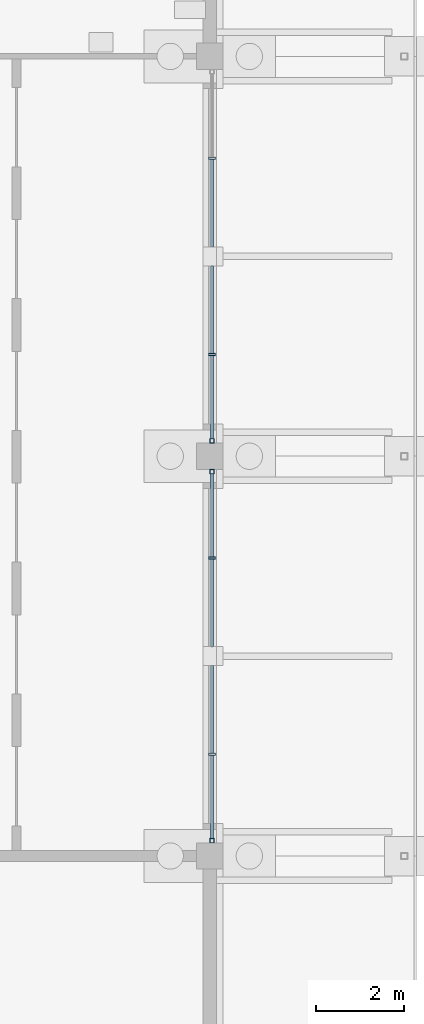
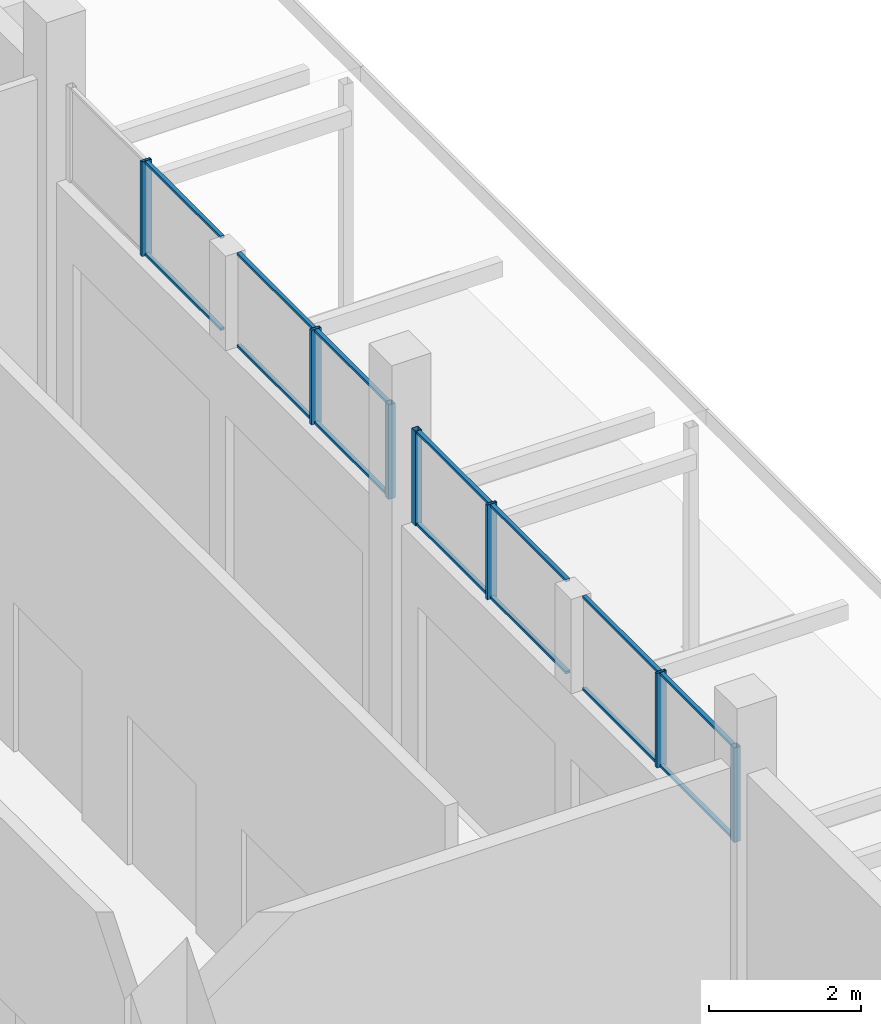
# One storey, part 58 of 129: 21 members, 4 elements without a shape of their own.
"""IFC4 building model written with IfcOpenShell, lengths in metres."""

from ifc_helpers import new_model, si_unit, direction, frame, origin, origin_2d, place, context, subcontext, project, spatial, hollow_rectangle, extrude, material, layer, layer_set, material_profile, profile_set, type_object, element, aggregate, save


model = new_model("IFC4")

# Units and contexts
model_context = context("Model", 3, precision=1e-05, world=origin(), true_north=direction((0.0, 1.0)))
body_context = subcontext(model_context, "Body", "Model", "MODEL_VIEW")
ifc_project = project(units=[si_unit("LENGTHUNIT", "METRE"), si_unit("AREAUNIT", "SQUARE_METRE"), si_unit("VOLUMEUNIT", "CUBIC_METRE"), si_unit("PLANEANGLEUNIT", "RADIAN"), si_unit("MASSUNIT", "GRAM", prefix="KILO")], contexts=[model_context])

# Site, building, storey
site_placement = place(None, origin())
site = spatial("IfcSite", under=ifc_project, at=site_placement, CompositionType="ELEMENT")
building_placement = place(site_placement, origin())
building = spatial("IfcBuilding", under=site, at=building_placement, Name="Shirokan Park Arena", CompositionType="ELEMENT")
storey_placement = place(building_placement, origin())
storey = spatial("IfcBuildingStorey", under=building, at=storey_placement, Name="L00", CompositionType="ELEMENT", Elevation=0.0)

# Curtain wall, member
ifc_material_1 = material(Name="Steel and glass curtain wall", Category="steel")
ifc_layer = layer(ifc_material_1, 0.199951171875)
ifc_layer_set = layer_set([ifc_layer], Name="Steel and glass curtain wall 200 mm")
curtain_wall_type = type_object("IfcCurtainWallType", Name="Curtain wall shopfront bay 200", PredefinedType="NOTDEFINED", material=ifc_layer_set)
curtain_wall_1_placement = place(storey_placement, origin())
curtain_wall_1 = element("IfcCurtainWall", 1, at=curtain_wall_1_placement, inside=storey, type_object=curtain_wall_type, Name="Curtain wall east bay 6 L00 clerestory 1", PredefinedType="NOTDEFINED")
ifc_material_2 = material(Name="Steel S355", Category="steel")
ifc_material_profile_1 = material_profile(ifc_material_2, hollow_rectangle(XDim=0.10009765625, YDim=0.10009765625, WallThickness=0.006103515625, at=origin_2d()), Name="RHS 100x100x6")
ifc_profile_set_1 = profile_set([ifc_material_profile_1], Name="Steel S355")
member_type_1 = type_object("IfcMemberType", Name="Mullion RHS 100x100x6", PredefinedType="MULLION", material=ifc_profile_set_1)
member_1_placement = place(storey_placement, frame((145.64990234375, 45.85009765625, 3.75), z_axis=(0.0, 0.0, 1.0), x_axis=(-1.0, 0.0, 0.0)))
member_1 = element("IfcMember", 2, at=member_1_placement, type_object=member_type_1, Name="CW4 mullion 1", PredefinedType="MULLION", context=body_context, shape_type="SweptSolid", body=[
    extrude(hollow_rectangle(XDim=0.10009765625, YDim=0.10009765625, WallThickness=0.006103515625, at=origin_2d()), origin(), (0.0, 0.0, 1.0), 1.52001953125),
])

curtain_wall_2_placement = place(storey_placement, origin())
curtain_wall_2 = element("IfcCurtainWall", 3, at=curtain_wall_2_placement, inside=storey, type_object=curtain_wall_type, Name="Curtain wall east bay 6 L00 clerestory 2", PredefinedType="NOTDEFINED")
member_2_placement = place(storey_placement, frame((145.64990234375, 54.25, 3.75), z_axis=(0.0, 0.0, 1.0), x_axis=(-1.0, 0.0, 0.0)))
member_2 = element("IfcMember", 4, at=member_2_placement, type_object=member_type_1, Name="CW4 mullion 3", PredefinedType="MULLION", context=body_context, shape_type="SweptSolid", body=[
    extrude(hollow_rectangle(XDim=0.10009765625, YDim=0.10009765625, WallThickness=0.006103515625, at=origin_2d()), origin(), (0.0, 0.0, 1.0), 1.52001953125),
])

curtain_wall_3_placement = place(storey_placement, origin())
curtain_wall_3 = element("IfcCurtainWall", 5, at=curtain_wall_3_placement, inside=storey, type_object=curtain_wall_type, Name="Curtain wall east bay 7 L00 clerestory 1", PredefinedType="NOTDEFINED")
member_3_placement = place(storey_placement, frame((145.64990234375, 54.949951171875, 3.75), z_axis=(0.0, 0.0, 1.0), x_axis=(-1.0, 0.0, 0.0)))
member_3 = element("IfcMember", 6, at=member_3_placement, type_object=member_type_1, Name="CW4 mullion 1", PredefinedType="MULLION", context=body_context, shape_type="SweptSolid", body=[
    extrude(hollow_rectangle(XDim=0.10009765625, YDim=0.10009765625, WallThickness=0.006103515625, at=origin_2d()), origin(), (0.0, 0.0, 1.0), 1.52001953125),
])

# Member
ifc_material_profile_2 = material_profile(ifc_material_2, hollow_rectangle(XDim=0.14990234375, YDim=0.050048828125, WallThickness=0.006103515625, at=origin_2d()), Name="RHS 150x50x6")
ifc_profile_set_2 = profile_set([ifc_material_profile_2], Name="Steel S355")
member_type_2 = type_object("IfcMemberType", Name="Mullion RHS 150x50x6", PredefinedType="MULLION", material=ifc_profile_set_2)
member_4_placement = place(storey_placement, frame((145.64990234375, 47.8173828125, 3.75), z_axis=(0.0, 0.0, 1.0), x_axis=(-1.0, 0.0, 0.0)))
member_4 = element("IfcMember", 7, at=member_4_placement, type_object=member_type_2, Name="CW4 mullion 2", PredefinedType="MULLION", context=body_context, shape_type="SweptSolid", body=[
    extrude(hollow_rectangle(XDim=0.14990234375, YDim=0.050048828125, WallThickness=0.006103515625, at=origin_2d()), origin(), (0.0, 0.0, 1.0), 1.52001953125),
])

member_5_placement = place(storey_placement, frame((145.64990234375, 52.282470703125, 3.75), z_axis=(0.0, 0.0, 1.0), x_axis=(-1.0, 0.0, 0.0)))
member_5 = element("IfcMember", 8, at=member_5_placement, type_object=member_type_2, Name="CW4 mullion 2", PredefinedType="MULLION", context=body_context, shape_type="SweptSolid", body=[
    extrude(hollow_rectangle(XDim=0.14990234375, YDim=0.050048828125, WallThickness=0.006103515625, at=origin_2d()), origin(), (0.0, 0.0, 1.0), 1.52001953125),
])

member_6_placement = place(storey_placement, frame((145.64990234375, 56.91748046875, 3.75), z_axis=(0.0, 0.0, 1.0), x_axis=(-1.0, 0.0, 0.0)))
member_6 = element("IfcMember", 9, at=member_6_placement, type_object=member_type_2, Name="CW4 mullion 2", PredefinedType="MULLION", context=body_context, shape_type="SweptSolid", body=[
    extrude(hollow_rectangle(XDim=0.14990234375, YDim=0.050048828125, WallThickness=0.006103515625, at=origin_2d()), origin(), (0.0, 0.0, 1.0), 1.52001953125),
])

# Curtain wall, member
curtain_wall_4_placement = place(storey_placement, origin())
curtain_wall_4 = element("IfcCurtainWall", 10, at=curtain_wall_4_placement, inside=storey, type_object=curtain_wall_type, Name="Curtain wall east bay 7 L00 clerestory 2", PredefinedType="NOTDEFINED")
member_7_placement = place(storey_placement, frame((145.64990234375, 61.382568359375, 3.75), z_axis=(0.0, 0.0, 1.0), x_axis=(-1.0, 0.0, 0.0)))
member_7 = element("IfcMember", 11, at=member_7_placement, type_object=member_type_2, Name="CW4 mullion 2", PredefinedType="MULLION", context=body_context, shape_type="SweptSolid", body=[
    extrude(hollow_rectangle(XDim=0.14990234375, YDim=0.050048828125, WallThickness=0.006103515625, at=origin_2d()), origin(), (0.0, 0.0, 1.0), 1.52001953125),
])

# Member
ifc_material_profile_3 = material_profile(ifc_material_2, hollow_rectangle(XDim=0.06005859375, YDim=0.0400390625, WallThickness=0.00390625, at=origin_2d()), Name="RHS 60x40x4")
ifc_profile_set_3 = profile_set([ifc_material_profile_3], Name="Steel S355")
member_type_3 = type_object("IfcMemberType", Name="Transom RHS 60x40x4", PredefinedType="MULLION", material=ifc_profile_set_3)
member_8_placement = place(storey_placement, frame((145.64990234375, 45.89990234375, 3.77001953125), z_axis=(0.0, 1.0, 0.0), x_axis=(-1.0, 0.0, 0.0)))
member_8 = element("IfcMember", 12, at=member_8_placement, type_object=member_type_3, Name="CW4 transom 1.1", PredefinedType="MULLION", context=body_context, shape_type="SweptSolid", body=[
    extrude(hollow_rectangle(XDim=0.06005859375, YDim=0.0400390625, WallThickness=0.00390625, at=origin_2d()), origin(), (0.0, 0.0, 1.0), 1.892578125),
])

member_9_placement = place(storey_placement, frame((145.64990234375, 45.89990234375, 5.25), z_axis=(0.0, 1.0, 0.0), x_axis=(-1.0, 0.0, 0.0)))
member_9 = element("IfcMember", 13, at=member_9_placement, type_object=member_type_3, Name="CW4 transom 1.2", PredefinedType="MULLION", context=body_context, shape_type="SweptSolid", body=[
    extrude(hollow_rectangle(XDim=0.06005859375, YDim=0.0400390625, WallThickness=0.00390625, at=origin_2d()), origin(), (0.0, 0.0, 1.0), 1.892578125),
])

member_10_placement = place(storey_placement, frame((145.64990234375, 47.842529296875, 3.77001953125), z_axis=(0.0, 1.0, 0.0), x_axis=(-1.0, 0.0, 0.0)))
member_10 = element("IfcMember", 14, at=member_10_placement, type_object=member_type_3, Name="CW4 transom 2.1", PredefinedType="MULLION", context=body_context, shape_type="SweptSolid", body=[
    extrude(hollow_rectangle(XDim=0.06005859375, YDim=0.0400390625, WallThickness=0.00390625, at=origin_2d()), origin(), (0.0, 0.0, 1.0), 1.992431640625),
])

member_11_placement = place(storey_placement, frame((145.64990234375, 47.842529296875, 5.25), z_axis=(0.0, 1.0, 0.0), x_axis=(-1.0, 0.0, 0.0)))
member_11 = element("IfcMember", 15, at=member_11_placement, type_object=member_type_3, Name="CW4 transom 2.2", PredefinedType="MULLION", context=body_context, shape_type="SweptSolid", body=[
    extrude(hollow_rectangle(XDim=0.06005859375, YDim=0.0400390625, WallThickness=0.00390625, at=origin_2d()), origin(), (0.0, 0.0, 1.0), 1.992431640625),
])

aggregate(curtain_wall_1, [member_1, member_4, member_8, member_9, member_10, member_11])

member_12_placement = place(storey_placement, frame((145.64990234375, 50.264892578125, 3.77001953125), z_axis=(0.0, 1.0, 0.0), x_axis=(-1.0, 0.0, 0.0)))
member_12 = element("IfcMember", 16, at=member_12_placement, type_object=member_type_3, Name="CW4 transom 1.1", PredefinedType="MULLION", context=body_context, shape_type="SweptSolid", body=[
    extrude(hollow_rectangle(XDim=0.06005859375, YDim=0.0400390625, WallThickness=0.00390625, at=origin_2d()), origin(), (0.0, 0.0, 1.0), 1.99267578125),
])

member_13_placement = place(storey_placement, frame((145.64990234375, 50.264892578125, 5.25), z_axis=(0.0, 1.0, 0.0), x_axis=(-1.0, 0.0, 0.0)))
member_13 = element("IfcMember", 17, at=member_13_placement, type_object=member_type_3, Name="CW4 transom 1.2", PredefinedType="MULLION", context=body_context, shape_type="SweptSolid", body=[
    extrude(hollow_rectangle(XDim=0.06005859375, YDim=0.0400390625, WallThickness=0.00390625, at=origin_2d()), origin(), (0.0, 0.0, 1.0), 1.99267578125),
])

member_14_placement = place(storey_placement, frame((145.64990234375, 52.3076171875, 3.77001953125), z_axis=(0.0, 1.0, 0.0), x_axis=(-1.0, 0.0, 0.0)))
member_14 = element("IfcMember", 18, at=member_14_placement, type_object=member_type_3, Name="CW4 transom 2.1", PredefinedType="MULLION", context=body_context, shape_type="SweptSolid", body=[
    extrude(hollow_rectangle(XDim=0.06005859375, YDim=0.0400390625, WallThickness=0.00390625, at=origin_2d()), origin(), (0.0, 0.0, 1.0), 1.892333984375),
])

member_15_placement = place(storey_placement, frame((145.64990234375, 52.3076171875, 5.25), z_axis=(0.0, 1.0, 0.0), x_axis=(-1.0, 0.0, 0.0)))
member_15 = element("IfcMember", 19, at=member_15_placement, type_object=member_type_3, Name="CW4 transom 2.2", PredefinedType="MULLION", context=body_context, shape_type="SweptSolid", body=[
    extrude(hollow_rectangle(XDim=0.06005859375, YDim=0.0400390625, WallThickness=0.00390625, at=origin_2d()), origin(), (0.0, 0.0, 1.0), 1.892333984375),
])

aggregate(curtain_wall_2, [member_5, member_2, member_12, member_13, member_14, member_15])

member_16_placement = place(storey_placement, frame((145.64990234375, 55.0, 3.77001953125), z_axis=(0.0, 1.0, 0.0), x_axis=(-1.0, 0.0, 0.0)))
member_16 = element("IfcMember", 20, at=member_16_placement, type_object=member_type_3, Name="CW4 transom 1.1", PredefinedType="MULLION", context=body_context, shape_type="SweptSolid", body=[
    extrude(hollow_rectangle(XDim=0.06005859375, YDim=0.0400390625, WallThickness=0.00390625, at=origin_2d()), origin(), (0.0, 0.0, 1.0), 1.892578125),
])

member_17_placement = place(storey_placement, frame((145.64990234375, 55.0, 5.25), z_axis=(0.0, 1.0, 0.0), x_axis=(-1.0, 0.0, 0.0)))
member_17 = element("IfcMember", 21, at=member_17_placement, type_object=member_type_3, Name="CW4 transom 1.2", PredefinedType="MULLION", context=body_context, shape_type="SweptSolid", body=[
    extrude(hollow_rectangle(XDim=0.06005859375, YDim=0.0400390625, WallThickness=0.00390625, at=origin_2d()), origin(), (0.0, 0.0, 1.0), 1.892578125),
])

member_18_placement = place(storey_placement, frame((145.64990234375, 56.9423828125, 3.77001953125), z_axis=(0.0, 1.0, 0.0), x_axis=(-1.0, 0.0, 0.0)))
member_18 = element("IfcMember", 22, at=member_18_placement, type_object=member_type_3, Name="CW4 transom 2.1", PredefinedType="MULLION", context=body_context, shape_type="SweptSolid", body=[
    extrude(hollow_rectangle(XDim=0.06005859375, YDim=0.0400390625, WallThickness=0.00390625, at=origin_2d()), origin(), (0.0, 0.0, 1.0), 1.99267578125),
])

member_19_placement = place(storey_placement, frame((145.64990234375, 56.9423828125, 5.25), z_axis=(0.0, 1.0, 0.0), x_axis=(-1.0, 0.0, 0.0)))
member_19 = element("IfcMember", 23, at=member_19_placement, type_object=member_type_3, Name="CW4 transom 2.2", PredefinedType="MULLION", context=body_context, shape_type="SweptSolid", body=[
    extrude(hollow_rectangle(XDim=0.06005859375, YDim=0.0400390625, WallThickness=0.00390625, at=origin_2d()), origin(), (0.0, 0.0, 1.0), 1.99267578125),
])

aggregate(curtain_wall_3, [member_3, member_6, member_16, member_17, member_18, member_19])

member_20_placement = place(storey_placement, frame((145.64990234375, 59.364990234375, 3.77001953125), z_axis=(0.0, 1.0, 0.0), x_axis=(-1.0, 0.0, 0.0)))
member_20 = element("IfcMember", 24, at=member_20_placement, type_object=member_type_3, Name="CW4 transom 1.1", PredefinedType="MULLION", context=body_context, shape_type="SweptSolid", body=[
    extrude(hollow_rectangle(XDim=0.06005859375, YDim=0.0400390625, WallThickness=0.00390625, at=origin_2d()), origin(), (0.0, 0.0, 1.0), 1.992431640625),
])

member_21_placement = place(storey_placement, frame((145.64990234375, 59.364990234375, 5.25), z_axis=(0.0, 1.0, 0.0), x_axis=(-1.0, 0.0, 0.0)))
member_21 = element("IfcMember", 25, at=member_21_placement, type_object=member_type_3, Name="CW4 transom 1.2", PredefinedType="MULLION", context=body_context, shape_type="SweptSolid", body=[
    extrude(hollow_rectangle(XDim=0.06005859375, YDim=0.0400390625, WallThickness=0.00390625, at=origin_2d()), origin(), (0.0, 0.0, 1.0), 1.992431640625),
])

aggregate(curtain_wall_4, [member_7, member_20, member_21])

save(model, "model.ifc")
